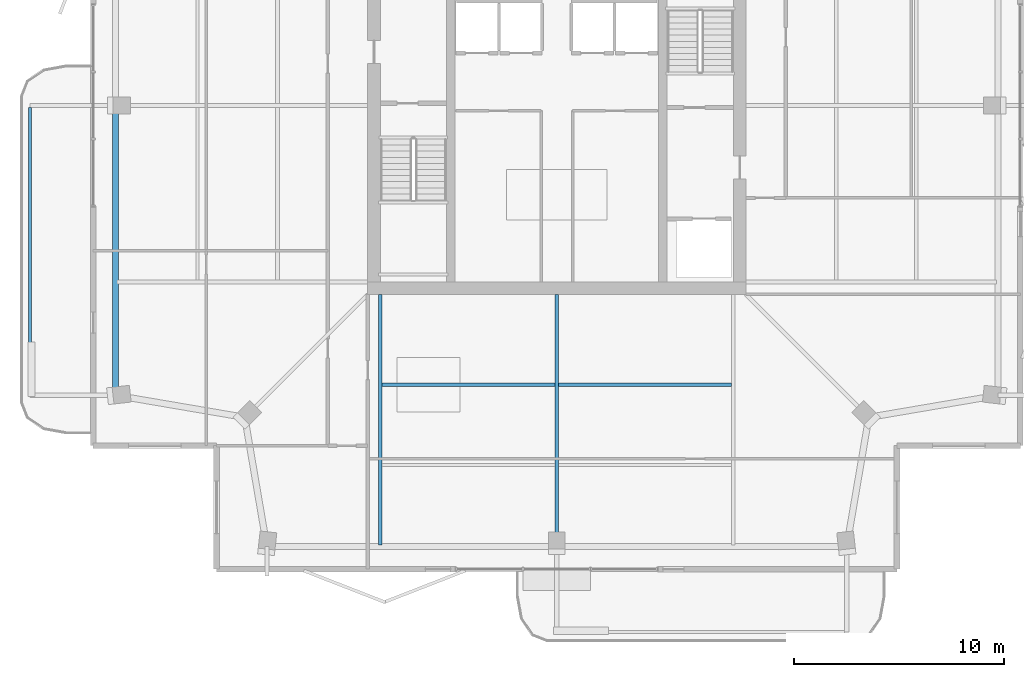
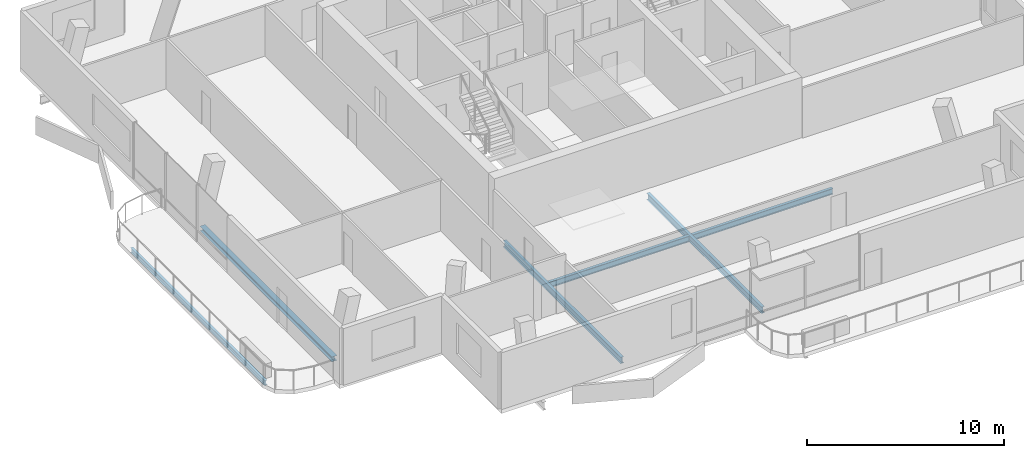
# One storey, part 4 of 19: 6 beams.
"""IFC4 building model written with IfcOpenShell, lengths in metres."""

from ifc_helpers import new_model, si_unit, direction, frame, origin, origin_2d, place, context, subcontext, project, spatial, i_section, extrude, material, material_profile, profile_set, type_object, element, save


model = new_model("IFC4")

# Units and contexts
model_context = context("Model", 3, precision=1e-05, world=origin(), true_north=direction((0.0, 1.0)))
body_context = subcontext(model_context, "Body", "Model", "MODEL_VIEW")
ifc_project = project(units=[si_unit("LENGTHUNIT", "METRE"), si_unit("AREAUNIT", "SQUARE_METRE"), si_unit("VOLUMEUNIT", "CUBIC_METRE"), si_unit("PLANEANGLEUNIT", "RADIAN"), si_unit("MASSUNIT", "GRAM", prefix="KILO")], contexts=[model_context])

# Site, building, storey
site_placement = place(None, origin())
site = spatial("IfcSite", under=ifc_project, at=site_placement, CompositionType="ELEMENT")
building_placement = place(site_placement, origin())
building = spatial("IfcBuilding", under=site, at=building_placement, Name="Belovzor Exchange Tower", CompositionType="ELEMENT")
storey_placement = place(building_placement, frame((0.0, 0.0, 340.5)))
storey = spatial("IfcBuildingStorey", under=building, at=storey_placement, Name="L85", CompositionType="ELEMENT", Elevation=340.5)

# Beams
ifc_material_1 = material(Name="Steel S355", Category="steel")
ifc_material_profile_1 = material_profile(ifc_material_1, i_section(OverallWidth=0.14990234375, OverallDepth=0.300048828125, WebThickness=0.007080078125, FlangeThickness=0.0107421875, at=origin_2d()))
ifc_profile_set_1 = profile_set([ifc_material_profile_1], Name="Steel S355")
beam_type_1 = type_object("IfcBeamType", Name="Planted Balcony Fascia Edge Beam IPE 300", PredefinedType="BEAM", material=ifc_profile_set_1)
beam_1_placement = place(storey_placement, frame((3.72998046875, 28.699951171875, -0.389892578125), z_axis=(0.0, -1.0, 0.0), x_axis=(1.0, 0.0, 0.0)))
element("IfcBeam", 1, at=beam_1_placement, inside=storey, type_object=beam_type_1, Name="BC-300 Planted Balcony Fascia Edge Beam IPE 300", PredefinedType="BEAM", context=body_context, shape_type="SweptSolid", body=[
    extrude(i_section(OverallWidth=0.14990234375, OverallDepth=0.300048828125, WebThickness=0.007080078125, FlangeThickness=0.0107421875, at=origin_2d()), origin(), (0.0, 0.0, 1.0), 13.599853515625),
])
ifc_material_2 = material(Name="Steel S355", Category="steel")
ifc_material_profile_2 = material_profile(ifc_material_2, i_section(OverallWidth=0.169921875, OverallDepth=0.360107421875, WebThickness=0.008056640625, FlangeThickness=0.0126953125, at=origin_2d()))
ifc_profile_set_2 = profile_set([ifc_material_profile_2], Name="Steel S355")
beam_type_2 = type_object("IfcBeamType", Name="Secondary Infill Floor Joist IPE 360", PredefinedType="BEAM", material=ifc_profile_set_2)
beam_2_placement = place(storey_placement, frame((20.489990234375, 15.507080078125, -0.419921875), z_axis=(1.0, 0.0, 0.0), x_axis=(0.0, 1.0, 0.0)))
element("IfcBeam", 2, at=beam_2_placement, inside=storey, type_object=beam_type_2, Name="FJ-360 Secondary Infill Floor Joist IPE 360", PredefinedType="BEAM", context=body_context, shape_type="SweptSolid", body=[
    extrude(i_section(OverallWidth=0.169921875, OverallDepth=0.360107421875, WebThickness=0.008056640625, FlangeThickness=0.0126953125, at=origin_2d()), origin(), (0.0, 0.0, 1.0), 8.219970703125),
])
beam_3_placement = place(storey_placement, frame((28.889892578125, 15.507080078125, -0.419921875), z_axis=(1.0, 0.0, 0.0), x_axis=(0.0, 1.0, 0.0)))
element("IfcBeam", 3, at=beam_3_placement, inside=storey, type_object=beam_type_2, Name="FJ-360 Secondary Infill Floor Joist IPE 360", PredefinedType="BEAM", context=body_context, shape_type="SweptSolid", body=[
    extrude(i_section(OverallWidth=0.169921875, OverallDepth=0.360107421875, WebThickness=0.008056640625, FlangeThickness=0.0126953125, at=origin_2d()), origin(), (0.0, 0.0, 1.0), 8.22021484375),
])
ifc_material_3 = material(Name="Steel S355", Category="steel")
ifc_material_profile_3 = material_profile(ifc_material_3, i_section(OverallWidth=0.179931640625, OverallDepth=0.39990234375, WebThickness=0.008544921875, FlangeThickness=0.013427734375, at=origin_2d()))
ifc_profile_set_3 = profile_set([ifc_material_profile_3], Name="Steel S355")
beam_type_3 = type_object("IfcBeamType", Name="Zone 5-6 Radial Composite Floor Beam IPE 400", PredefinedType="BEAM", material=ifc_profile_set_3)
beam_4_placement = place(storey_placement, frame((20.39990234375, 19.800048828125, -0.43994140625), z_axis=(0.0, -1.0, 0.0), x_axis=(1.0, 0.0, 0.0)))
element("IfcBeam", 4, at=beam_4_placement, inside=storey, type_object=beam_type_3, Name="FB-400 Zone 5-6 Radial Composite Floor Beam IPE 400", PredefinedType="BEAM", context=body_context, shape_type="SweptSolid", body=[
    extrude(i_section(OverallWidth=0.179931640625, OverallDepth=0.39990234375, WebThickness=0.008544921875, FlangeThickness=0.013427734375, at=origin_2d()), origin(), (0.0, 0.0, 1.0), 11.925048828125),
])
beam_5_placement = place(storey_placement, frame((28.800048828125, 19.800048828125, -0.43994140625), z_axis=(0.0, -1.0, 0.0), x_axis=(1.0, 0.0, 0.0)))
element("IfcBeam", 5, at=beam_5_placement, inside=storey, type_object=beam_type_3, Name="FB-400 Zone 5-6 Radial Composite Floor Beam IPE 400", PredefinedType="BEAM", context=body_context, shape_type="SweptSolid", body=[
    extrude(i_section(OverallWidth=0.179931640625, OverallDepth=0.39990234375, WebThickness=0.008544921875, FlangeThickness=0.013427734375, at=origin_2d()), origin(), (0.0, 0.0, 1.0), 11.64794921875),
])
ifc_material_4 = material(Name="Steel S355", Category="steel")
ifc_material_profile_4 = material_profile(ifc_material_4, i_section(OverallWidth=0.300048828125, OverallDepth=0.300048828125, WebThickness=0.008544921875, FlangeThickness=0.013916015625, at=origin_2d()))
ifc_profile_set_4 = profile_set([ifc_material_profile_4], Name="Steel S355")
beam_type_4 = type_object("IfcBeamType", Name="Zone 6 Primary Girder HEA 300", PredefinedType="BEAM", material=ifc_profile_set_4)
beam_6_placement = place(storey_placement, frame((7.800048828125, 28.580078125, -0.389892578125), z_axis=(0.0, -1.0, 0.0), x_axis=(1.0, 0.0, 0.0)))
element("IfcBeam", 6, at=beam_6_placement, inside=storey, type_object=beam_type_4, Name="FG-Z6 Zone 6 Primary Girder HEA 300", PredefinedType="BEAM", context=body_context, shape_type="SweptSolid", body=[
    extrude(i_section(OverallWidth=0.300048828125, OverallDepth=0.300048828125, WebThickness=0.008544921875, FlangeThickness=0.013916015625, at=origin_2d()), origin(), (0.0, 0.0, 1.0), 13.360107421875),
])

save(model, "model.ifc")
